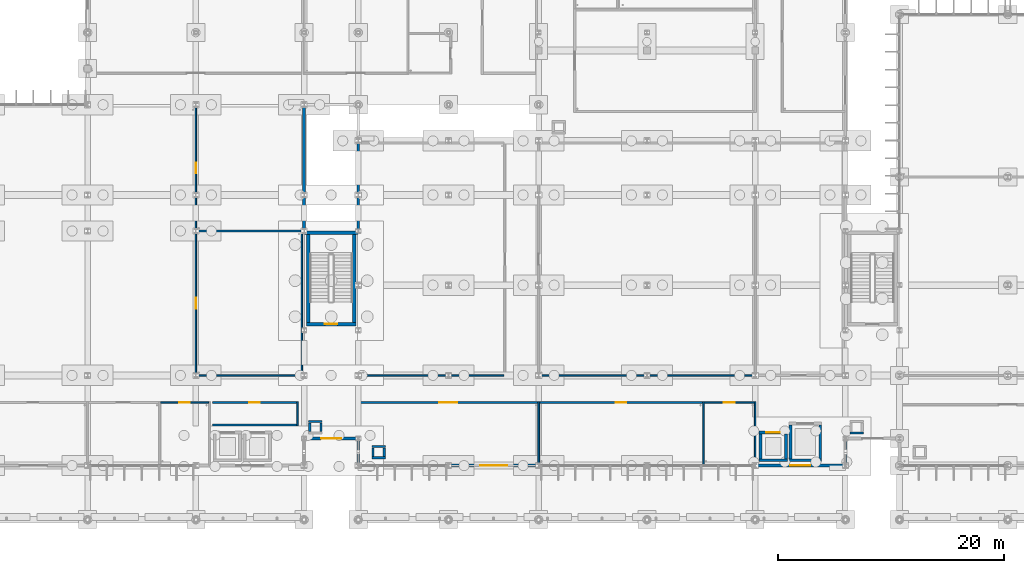
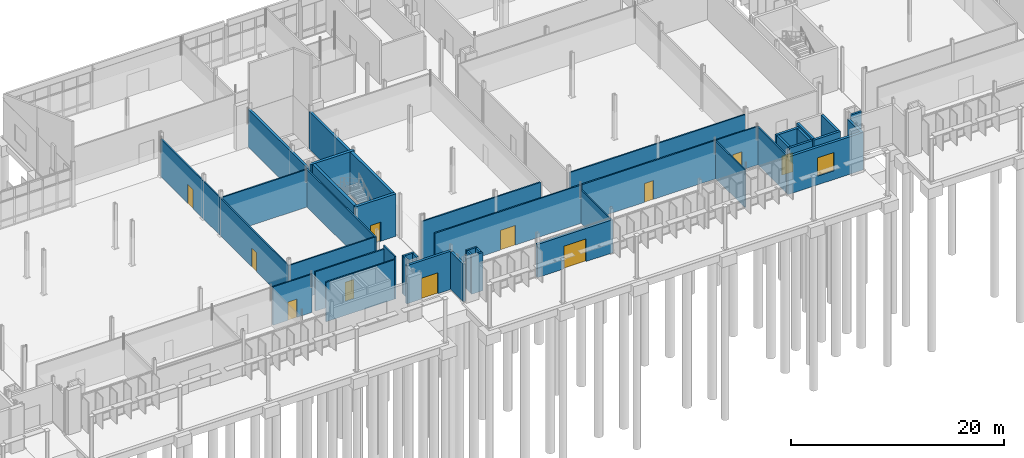
# One storey, part 61 of 111: 43 walls, 11 doors, 1 window, 12 openings.
"""IFC4 building model written with IfcOpenShell, lengths in metres."""

from ifc_helpers import new_model, si_unit, direction, frame, frame_2d, origin, place, context, subcontext, project, spatial, rectangle, extrude, material, layer, layer_set, type_object, element, fill, save


model = new_model("IFC4")

# Units and contexts
model_context = context("Model", 3, precision=1e-05, world=origin(), true_north=direction((0.0, 1.0)))
body_context = subcontext(model_context, "Body", "Model", "MODEL_VIEW")
ifc_project = project(units=[si_unit("LENGTHUNIT", "METRE"), si_unit("AREAUNIT", "SQUARE_METRE"), si_unit("VOLUMEUNIT", "CUBIC_METRE"), si_unit("PLANEANGLEUNIT", "RADIAN"), si_unit("MASSUNIT", "GRAM", prefix="KILO")], contexts=[model_context])

# Site, building, storey
site_placement = place(None, origin())
site = spatial("IfcSite", under=ifc_project, at=site_placement, CompositionType="ELEMENT")
building_placement = place(site_placement, origin())
building = spatial("IfcBuilding", under=site, at=building_placement, Name="Dunescarp Central Library", CompositionType="ELEMENT")
storey_placement = place(building_placement, origin())
storey = spatial("IfcBuildingStorey", under=building, at=storey_placement, Name="L00", CompositionType="ELEMENT", Elevation=0.0)

# Wall
ifc_material_1 = material(Name="Gypsum plasterboard acoustic partition")
ifc_layer_1 = layer(ifc_material_1, 0.14990234375)
ifc_layer_set_1 = layer_set([ifc_layer_1], Name="Gypsum plasterboard acoustic partition")
wall_type_1 = type_object("IfcWallType", Name="ARC-PT-AC150", PredefinedType="PARTITIONING", material=ifc_layer_set_1)
wall_1_placement = place(storey_placement, frame((68.675048828125, 8.39990234375, 0.0), z_axis=(0.0, 0.0, 1.0), x_axis=(1.0, 0.0, 0.0)))
element("IfcWall", 1, at=wall_1_placement, inside=storey, type_object=wall_type_1, Name="L00 partition PT-L00-0155", PredefinedType="PARTITIONING", context=body_context, shape_type="SweptSolid", body=[
    extrude(rectangle(XDim=7.449951171875, YDim=0.14990234375, at=frame_2d((3.72509765625, 0.0))), origin(), (0.0, 0.0, 1.0), 4.52490234375),
])

# Wall, opening, door
wall_2_placement = place(storey_placement, frame((68.675048828125, 10.39990234375, 0.0), z_axis=(0.0, 0.0, 1.0), x_axis=(1.0, 0.0, 0.0)))
wall_2 = element("IfcWall", 2, at=wall_2_placement, inside=storey, type_object=wall_type_1, Name="L00 partition PT-L00-0156", PredefinedType="PARTITIONING", context=body_context, shape_type="SweptSolid", body=[
    extrude(rectangle(XDim=7.449951171875, YDim=0.14990234375, at=frame_2d((3.72509765625, 0.0))), origin(), (0.0, 0.0, 1.0), 4.52490234375),
])
opening_1_placement = place(wall_2_placement, frame((3.25, 0.0, 0.0)))
opening_1 = element("IfcOpeningElement", 3, at=opening_1_placement, cuts=wall_2, Name="Opening DR-L00-0060", PredefinedType="OPENING", context=body_context, shape_type="SweptSolid", body=[
    extrude(rectangle(XDim=0.949951171875, YDim=2.14990234375, at=frame_2d((0.47509765625, 1.074951171875))), frame((0.0, 0.0849609375, 0.0), z_axis=(0.0, -1.0, 0.0), x_axis=(1.0, 0.0, 0.0)), (0.0, 0.0, 1.0), 0.169921875),
])
ifc_material_2 = material(Name="Hardwood solid-core timber leaf", Category="wood")
door_type_1 = type_object("IfcDoorType", Name="ARC-DR-INT950", OperationType="NOTDEFINED", PredefinedType="DOOR", material=ifc_material_2)
door_1_placement = place(opening_1_placement, origin())
door_1 = element("IfcDoor", 4, at=door_1_placement, inside=storey, type_object=door_type_1, Name="L00 interior door DR-L00-0060", OperationType="SINGLE_SWING_RIGHT", OverallHeight=2.14990234375, OverallWidth=0.949951171875, PredefinedType="DOOR", context=body_context, shape_type="SweptSolid", body=[
    extrude(rectangle(XDim=0.949951171875, YDim=2.14990234375, at=frame_2d((0.47509765625, 1.074951171875))), frame((0.0, 0.02490234375, 0.0), z_axis=(0.0, -1.0, 0.0), x_axis=(1.0, 0.0, 0.0)), (0.0, 0.0, 1.0), 0.050048828125),
])
fill(opening_1, door_1)

# Walls
wall_3_placement = place(storey_placement, frame((76.199951171875, 8.324951171875, 0.0), z_axis=(0.0, 0.0, 1.0), x_axis=(0.0, 1.0, 0.0)))
element("IfcWall", 5, at=wall_3_placement, inside=storey, type_object=wall_type_1, Name="L00 partition PT-L00-0157", PredefinedType="PARTITIONING", context=body_context, shape_type="SweptSolid", body=[
    extrude(rectangle(XDim=2.150146484375, YDim=0.14990234375, at=frame_2d((1.0751953125, 0.0))), origin(), (0.0, 0.0, 1.0), 4.8798828125),
])
for number, where, z_axis, x_axis, name in (
    (6, (67.27490234375, 12.800048828125, 0.0), (0.0, 0.0, 1.0), (1.0, 0.0, 0.0), "L00 partition PT-L00-0158"),
    (7, (67.27490234375, 25.60009765625, 0.0), (0.0, 0.0, 1.0), (1.0, 0.0, 0.0), "L00 partition PT-L00-0159"),
):
    element("IfcWall", number, at=place(storey_placement, frame(where, z_axis=z_axis, x_axis=x_axis)), inside=storey, type_object=wall_type_1, Name=name, PredefinedType="PARTITIONING", context=body_context, shape_type="SweptSolid", body=[
        extrude(rectangle(XDim=9.25, YDim=0.14990234375, at=frame_2d((4.625, 0.0))), origin(), (0.0, 0.0, 1.0), 4.31494140625),
    ])

# Wall, opening, door
wall_4_placement = place(storey_placement, frame((67.199951171875, 12.72509765625, 0.0), z_axis=(0.0, 0.0, 1.0), x_axis=(0.0, 1.0, 0.0)))
wall_4 = element("IfcWall", 8, at=wall_4_placement, inside=storey, type_object=wall_type_1, Name="L00 partition PT-L00-0160", PredefinedType="PARTITIONING", context=body_context, shape_type="SweptSolid", body=[
    extrude(rectangle(XDim=12.949951171875, YDim=0.14990234375, at=frame_2d((6.47509765625, 0.0))), origin(), (0.0, 0.0, 1.0), 4.31494140625),
])
opening_2_placement = place(wall_4_placement, frame((6.0, 0.0, 0.0)))
opening_2 = element("IfcOpeningElement", 9, at=opening_2_placement, cuts=wall_4, Name="Opening DR-L00-0061", PredefinedType="OPENING", context=body_context, shape_type="SweptSolid", body=[
    extrude(rectangle(XDim=0.949951171875, YDim=2.14990234375, at=frame_2d((0.47509765625, 1.074951171875))), frame((0.0, 0.0849609375, 0.0), z_axis=(0.0, -1.0, 0.0), x_axis=(1.0, 0.0, 0.0)), (0.0, 0.0, 1.0), 0.169921875),
])
door_2_placement = place(opening_2_placement, origin())
door_2 = element("IfcDoor", 10, at=door_2_placement, inside=storey, type_object=door_type_1, Name="L00 interior door DR-L00-0061", OperationType="SINGLE_SWING_LEFT", OverallHeight=2.14990234375, OverallWidth=0.949951171875, PredefinedType="DOOR", context=body_context, shape_type="SweptSolid", body=[
    extrude(rectangle(XDim=0.949951171875, YDim=2.14990234375, at=frame_2d((0.47509765625, 1.074951171875))), frame((0.0, 0.02490234375, 0.0), z_axis=(0.0, -1.0, 0.0), x_axis=(1.0, 0.0, 0.0)), (0.0, 0.0, 1.0), 0.050048828125),
])
fill(opening_2, door_2)

# Wall
wall_5_placement = place(storey_placement, frame((76.60009765625, 12.72509765625, 0.0), z_axis=(0.0, 0.0, 1.0), x_axis=(0.0, 1.0, 0.0)))
element("IfcWall", 11, at=wall_5_placement, inside=storey, type_object=wall_type_1, Name="L00 partition PT-L00-0161", PredefinedType="PARTITIONING", context=body_context, shape_type="SweptSolid", body=[
    extrude(rectangle(XDim=12.949951171875, YDim=0.14990234375, at=frame_2d((6.47509765625, 0.0))), origin(), (0.0, 0.0, 1.0), 4.31494140625),
])

# Wall, opening, door
wall_6_placement = place(storey_placement, frame((67.199951171875, 25.60009765625, 0.0), z_axis=(0.0, 0.0, 1.0), x_axis=(0.0, 1.0, 0.0)))
wall_6 = element("IfcWall", 12, at=wall_6_placement, inside=storey, type_object=wall_type_1, Name="L00 partition PT-L00-0162", PredefinedType="PARTITIONING", context=body_context, shape_type="SweptSolid", body=[
    extrude(rectangle(XDim=11.159912109375, YDim=0.14990234375, at=frame_2d((5.580078125, 0.0))), origin(), (0.0, 0.0, 1.0), 4.31494140625),
])
opening_3_placement = place(wall_6_placement, frame((5.10498046875, 0.0, 0.0)))
opening_3 = element("IfcOpeningElement", 13, at=opening_3_placement, cuts=wall_6, Name="Opening DR-L00-0062", PredefinedType="OPENING", context=body_context, shape_type="SweptSolid", body=[
    extrude(rectangle(XDim=0.949951171875, YDim=2.14990234375, at=frame_2d((0.47509765625, 1.074951171875))), frame((0.0, 0.0849609375, 0.0), z_axis=(0.0, -1.0, 0.0), x_axis=(1.0, 0.0, 0.0)), (0.0, 0.0, 1.0), 0.169921875),
])
door_3_placement = place(opening_3_placement, origin())
door_3 = element("IfcDoor", 14, at=door_3_placement, inside=storey, type_object=door_type_1, Name="L00 interior door DR-L00-0062", OperationType="SINGLE_SWING_RIGHT", OverallHeight=2.14990234375, OverallWidth=0.949951171875, PredefinedType="DOOR", context=body_context, shape_type="SweptSolid", body=[
    extrude(rectangle(XDim=0.949951171875, YDim=2.14990234375, at=frame_2d((0.47509765625, 1.074951171875))), frame((0.0, 0.02490234375, 0.0), z_axis=(0.0, -1.0, 0.0), x_axis=(1.0, 0.0, 0.0)), (0.0, 0.0, 1.0), 0.050048828125),
])
fill(opening_3, door_3)

wall_7_placement = place(storey_placement, frame((81.639892578125, 10.39990234375, 0.0), z_axis=(0.0, 0.0, 1.0), x_axis=(1.0, 0.0, 0.0)))
wall_7 = element("IfcWall", 15, at=wall_7_placement, inside=storey, type_object=wall_type_1, Name="L00 partition PT-L00-0256", PredefinedType="PARTITIONING", context=body_context, shape_type="SweptSolid", body=[
    extrude(rectangle(XDim=15.885009765625, YDim=0.14990234375, at=frame_2d((7.9423828125, 0.0))), origin(), (0.0, 0.0, 1.0), 4.405029296875),
])
opening_4_placement = place(wall_7_placement, frame((7.14306640625, 0.0, 0.0)))
opening_4 = element("IfcOpeningElement", 16, at=opening_4_placement, cuts=wall_7, Name="Opening DR-L00-0107", PredefinedType="OPENING", context=body_context, shape_type="SweptSolid", body=[
    extrude(rectangle(XDim=1.60009765625, YDim=2.25, at=frame_2d((0.800048828125, 1.125))), frame((0.0, 0.0849609375, 0.0), z_axis=(0.0, -1.0, 0.0), x_axis=(1.0, 0.0, 0.0)), (0.0, 0.0, 1.0), 0.169921875),
])
ifc_material_3 = material(Name="Marine-grade anodised aluminium 6063-T6", Category="aluminium")
door_type_2 = type_object("IfcDoorType", Name="ARC-DR-DBL1600", OperationType="DOUBLE_DOOR_SINGLE_SWING", PredefinedType="DOOR", material=ifc_material_3)
door_4_placement = place(opening_4_placement, origin())
door_4 = element("IfcDoor", 17, at=door_4_placement, inside=storey, type_object=door_type_2, Name="L00 interior door DR-L00-0107", OperationType="DOUBLE_DOOR_SINGLE_SWING", OverallHeight=2.25, OverallWidth=1.60009765625, PredefinedType="DOOR", context=body_context, shape_type="SweptSolid", body=[
    extrude(rectangle(XDim=1.60009765625, YDim=2.25, at=frame_2d((0.800048828125, 1.125))), frame((0.0, 0.02490234375, 0.0), z_axis=(0.0, -1.0, 0.0), x_axis=(1.0, 0.0, 0.0)), (0.0, 0.0, 1.0), 0.050048828125),
])
fill(opening_4, door_4)

# Wall
wall_8_placement = place(storey_placement, frame((97.60009765625, 4.840087890625, 0.0), z_axis=(0.0, 0.0, 1.0), x_axis=(0.0, 1.0, 0.0)))
element("IfcWall", 18, at=wall_8_placement, inside=storey, type_object=wall_type_1, Name="L00 partition PT-L00-0257", PredefinedType="PARTITIONING", context=body_context, shape_type="SweptSolid", body=[
    extrude(rectangle(XDim=5.635009765625, YDim=0.14990234375, at=frame_2d((2.8173828125, 0.0))), origin(), (0.0, 0.0, 1.0), 3.804931640625),
])

# Wall, opening, door
wall_9_placement = place(storey_placement, frame((97.60009765625, 10.39990234375, 0.0), z_axis=(0.0, 0.0, 1.0), x_axis=(1.0, 0.0, 0.0)))
wall_9 = element("IfcWall", 19, at=wall_9_placement, inside=storey, type_object=wall_type_1, Name="L00 partition PT-L00-0258", PredefinedType="PARTITIONING", context=body_context, shape_type="SweptSolid", body=[
    extrude(rectangle(XDim=14.599853515625, YDim=0.14990234375, at=frame_2d((7.2998046875, 0.0))), origin(), (0.0, 0.0, 1.0), 4.405029296875),
])
opening_5_placement = place(wall_9_placement, frame((6.824951171875, 0.0, 0.0)))
opening_5 = element("IfcOpeningElement", 20, at=opening_5_placement, cuts=wall_9, Name="Opening DR-L00-0108", PredefinedType="OPENING", context=body_context, shape_type="SweptSolid", body=[
    extrude(rectangle(XDim=0.949951171875, YDim=2.14990234375, at=frame_2d((0.47509765625, 1.074951171875))), frame((0.0, 0.0849609375, 0.0), z_axis=(0.0, -1.0, 0.0), x_axis=(1.0, 0.0, 0.0)), (0.0, 0.0, 1.0), 0.169921875),
])
door_5_placement = place(opening_5_placement, origin())
door_5 = element("IfcDoor", 21, at=door_5_placement, inside=storey, type_object=door_type_1, Name="L00 interior door DR-L00-0108", OperationType="SINGLE_SWING_LEFT", OverallHeight=2.14990234375, OverallWidth=0.949951171875, PredefinedType="DOOR", context=body_context, shape_type="SweptSolid", body=[
    extrude(rectangle(XDim=0.949951171875, YDim=2.14990234375, at=frame_2d((0.47509765625, 1.074951171875))), frame((0.0, 0.02490234375, 0.0), z_axis=(0.0, -1.0, 0.0), x_axis=(1.0, 0.0, 0.0)), (0.0, 0.0, 1.0), 0.050048828125),
])
fill(opening_5, door_5)

# Walls
wall_10_placement = place(storey_placement, frame((81.639892578125, 12.800048828125, 0.0), z_axis=(0.0, 0.0, 1.0), x_axis=(1.0, 0.0, 0.0)))
element("IfcWall", 22, at=wall_10_placement, inside=storey, type_object=wall_type_1, Name="L00 partition PT-L00-0259", PredefinedType="PARTITIONING", context=body_context, shape_type="SweptSolid", body=[
    extrude(rectangle(XDim=12.885009765625, YDim=0.14990234375, at=frame_2d((6.4423828125, 0.0))), origin(), (0.0, 0.0, 1.0), 4.304931640625),
])
wall_11_placement = place(storey_placement, frame((97.675048828125, 12.800048828125, 0.0), z_axis=(0.0, 0.0, 1.0), x_axis=(1.0, 0.0, 0.0)))
element("IfcWall", 23, at=wall_11_placement, inside=storey, type_object=wall_type_1, Name="L00 partition PT-L00-0262", PredefinedType="PARTITIONING", context=body_context, shape_type="SweptSolid", body=[
    extrude(rectangle(XDim=19.050048828125, YDim=0.14990234375, at=frame_2d((9.52490234375, 0.0))), origin(), (0.0, 0.0, 1.0), 4.304931640625),
])

# Wall, opening, door
ifc_material_4 = material(Name="Autoclaved aerated concrete block", Category="concrete")
ifc_layer_2 = layer(ifc_material_4, 0.139892578125)
ifc_layer_set_2 = layer_set([ifc_layer_2], Name="Autoclaved aerated concrete block")
wall_type_2 = type_object("IfcWallType", Name="ARC-PT-WET140", PredefinedType="PARTITIONING", material=ifc_layer_set_2)
wall_12_placement = place(storey_placement, frame((64.070068359375, 10.39990234375, 0.0), z_axis=(0.0, 0.0, 1.0), x_axis=(1.0, 0.0, 0.0)))
wall_12 = element("IfcWall", 24, at=wall_12_placement, inside=storey, type_object=wall_type_2, Name="L00 partition PT-L00-0147", PredefinedType="PARTITIONING", context=body_context, shape_type="SweptSolid", body=[
    extrude(rectangle(XDim=4.260009765625, YDim=0.139892578125, at=frame_2d((2.1298828125, 0.0))), origin(), (0.0, 0.0, 1.0), 4.387939453125),
])
opening_6_placement = place(wall_12_placement, frame((1.655029296875, 0.0, 0.0)))
opening_6 = element("IfcOpeningElement", 25, at=opening_6_placement, cuts=wall_12, Name="Opening DR-L00-0056", PredefinedType="OPENING", context=body_context, shape_type="SweptSolid", body=[
    extrude(rectangle(XDim=0.949951171875, YDim=2.10009765625, at=frame_2d((0.47509765625, 1.050048828125))), frame((0.0, 0.080078125, 0.0), z_axis=(0.0, -1.0, 0.0), x_axis=(1.0, 0.0, 0.0)), (0.0, 0.0, 1.0), 0.159912109375),
])
door_type_3 = type_object("IfcDoorType", Name="ARC-DR-WC950", OperationType="NOTDEFINED", PredefinedType="DOOR", material=ifc_material_2)
door_6_placement = place(opening_6_placement, origin())
door_6 = element("IfcDoor", 26, at=door_6_placement, inside=storey, type_object=door_type_3, Name="L00 interior door DR-L00-0056", OperationType="SINGLE_SWING_RIGHT", OverallHeight=2.10009765625, OverallWidth=0.949951171875, PredefinedType="DOOR", context=body_context, shape_type="SweptSolid", body=[
    extrude(rectangle(XDim=0.949951171875, YDim=2.10009765625, at=frame_2d((0.47509765625, 1.050048828125))), frame((0.0, 0.02490234375, 0.0), z_axis=(0.0, -1.0, 0.0), x_axis=(1.0, 0.0, 0.0)), (0.0, 0.0, 1.0), 0.050048828125),
])
fill(opening_6, door_6)

wall_13_placement = place(storey_placement, frame((112.27001953125, 10.39990234375, 0.0), z_axis=(0.0, 0.0, 1.0), x_axis=(1.0, 0.0, 0.0)))
wall_13 = element("IfcWall", 27, at=wall_13_placement, inside=storey, type_object=wall_type_2, Name="L00 partition PT-L00-0253", PredefinedType="PARTITIONING", context=body_context, shape_type="SweptSolid", body=[
    extrude(rectangle(XDim=4.4599609375, YDim=0.139892578125, at=frame_2d((2.22998046875, 0.0))), origin(), (0.0, 0.0, 1.0), 4.405029296875),
])
opening_7_placement = place(wall_13_placement, frame((1.7548828125, 0.0, 0.0)))
opening_7 = element("IfcOpeningElement", 28, at=opening_7_placement, cuts=wall_13, Name="Opening DR-L00-0106", PredefinedType="OPENING", context=body_context, shape_type="SweptSolid", body=[
    extrude(rectangle(XDim=0.949951171875, YDim=2.10009765625, at=frame_2d((0.47509765625, 1.050048828125))), frame((0.0, 0.080078125, 0.0), z_axis=(0.0, -1.0, 0.0), x_axis=(1.0, 0.0, 0.0)), (0.0, 0.0, 1.0), 0.159912109375),
])
door_7_placement = place(opening_7_placement, origin())
door_7 = element("IfcDoor", 29, at=door_7_placement, inside=storey, type_object=door_type_3, Name="L00 interior door DR-L00-0106", OperationType="SINGLE_SWING_RIGHT", OverallHeight=2.10009765625, OverallWidth=0.949951171875, PredefinedType="DOOR", context=body_context, shape_type="SweptSolid", body=[
    extrude(rectangle(XDim=0.949951171875, YDim=2.10009765625, at=frame_2d((0.47509765625, 1.050048828125))), frame((0.0, 0.02490234375, 0.0), z_axis=(0.0, -1.0, 0.0), x_axis=(1.0, 0.0, 0.0)), (0.0, 0.0, 1.0), 0.050048828125),
])
fill(opening_7, door_7)

# Walls
for number, where, z_axis, x_axis, name in (
    (30, (112.199951171875, 4.840087890625, 0.0), (0.0, 0.0, 1.0), (0.0, 1.0, 0.0), "L00 partition PT-L00-0254"),
    (31, (116.800048828125, 4.840087890625, 0.0), (0.0, 0.0, 1.0), (0.0, 1.0, 0.0), "L00 partition PT-L00-0255"),
):
    element("IfcWall", number, at=place(storey_placement, frame(where, z_axis=z_axis, x_axis=x_axis)), inside=storey, type_object=wall_type_2, Name=name, PredefinedType="PARTITIONING", context=body_context, shape_type="SweptSolid", body=[
        extrude(rectangle(XDim=5.6298828125, YDim=0.139892578125, at=frame_2d((2.81494140625, 0.0))), origin(), (0.0, 0.0, 1.0), 4.304931640625),
    ])
ifc_material_5 = material(Name="Glass-fibre reinforced concrete GRC", Category="concrete")
ifc_layer_3 = layer(ifc_material_5, 0.260009765625)
ifc_layer_set_3 = layer_set([ifc_layer_3], Name="Glass-fibre reinforced concrete GRC")
wall_type_3 = type_object("IfcWallType", Name="ARC-WL-GRC260", PredefinedType="SOLIDWALL", material=ifc_layer_set_3)
wall_14_placement = place(storey_placement, frame((76.800048828125, 36.885009765625, 0.0), z_axis=(0.0, 0.0, 1.0), x_axis=(0.0, -1.0, 0.0)))
element("IfcWall", 32, at=wall_14_placement, inside=storey, type_object=wall_type_3, Name="L00 external wall EW-V2-036", PredefinedType="SOLIDWALL", context=body_context, shape_type="SweptSolid", body=[
    extrude(rectangle(XDim=11.3701171875, YDim=0.260009765625, at=frame_2d((5.68505859375, 0.0))), origin(), (0.0, 0.0, 1.0), 4.31494140625),
])
wall_15_placement = place(storey_placement, frame((81.60009765625, 4.715087890625, 0.0), z_axis=(0.0, 0.0, 1.0), x_axis=(0.0, 1.0, 0.0)))
element("IfcWall", 33, at=wall_15_placement, inside=storey, type_object=wall_type_3, Name="L00 external wall EW-V3-067", PredefinedType="SOLIDWALL", context=body_context, shape_type="SweptSolid", body=[
    extrude(rectangle(XDim=2.56982421875, YDim=0.260009765625, at=frame_2d((1.284912109375, 0.0))), origin(), (0.0, 0.0, 1.0), 4.304931640625),
])
wall_16_placement = place(storey_placement, frame((81.60009765625, 25.514892578125, 0.0), z_axis=(0.0, 0.0, 1.0), x_axis=(0.0, 1.0, 0.0)))
element("IfcWall", 34, at=wall_16_placement, inside=storey, type_object=wall_type_3, Name="L00 external wall EW-V3-068", PredefinedType="SOLIDWALL", context=body_context, shape_type="SweptSolid", body=[
    extrude(rectangle(XDim=8.170166015625, YDim=0.260009765625, at=frame_2d((4.0849609375, 0.0))), origin(), (0.0, 0.0, 1.0), 4.304931640625),
])
wall_17_placement = place(storey_placement, frame((124.800048828125, 7.284912109375, 0.0), z_axis=(0.0, 0.0, 1.0), x_axis=(0.0, -1.0, 0.0)))
element("IfcWall", 35, at=wall_17_placement, inside=storey, type_object=wall_type_3, Name="L00 external wall EW-V3-069", PredefinedType="SOLIDWALL", context=body_context, shape_type="SweptSolid", body=[
    extrude(rectangle(XDim=2.56982421875, YDim=0.260009765625, at=frame_2d((1.284912109375, 0.0))), origin(), (0.0, 0.0, 1.0), 4.304931640625),
])

# Wall, opening, door
wall_18_placement = place(storey_placement, frame((81.68505859375, 7.199951171875, 0.0), z_axis=(0.0, 0.0, 1.0), x_axis=(-1.0, 0.0, 0.0)))
wall_18 = element("IfcWall", 36, at=wall_18_placement, inside=storey, type_object=wall_type_3, Name="L00 external wall EW-GL2-S", PredefinedType="SOLIDWALL", context=body_context, shape_type="SweptSolid", body=[
    extrude(rectangle(XDim=4.969970703125, YDim=0.260009765625, at=frame_2d((2.48486328125, 0.0))), origin(), (0.0, 0.0, 1.0), 4.387939453125),
])
opening_8_placement = place(wall_18_placement, frame((1.5849609375, 0.0, 0.0)))
opening_8 = element("IfcOpeningElement", 37, at=opening_8_placement, cuts=wall_18, Name="Opening ED-04", PredefinedType="OPENING", context=body_context, shape_type="SweptSolid", body=[
    extrude(rectangle(XDim=1.800048828125, YDim=2.39990234375, at=frame_2d((0.89990234375, 1.199951171875))), frame((0.0, 0.14013671875, 0.0), z_axis=(0.0, -1.0, 0.0), x_axis=(1.0, 0.0, 0.0)), (0.0, 0.0, 1.0), 0.280029296875),
])
door_type_4 = type_object("IfcDoorType", Name="ARC-DR-EXIT1800", OperationType="NOTDEFINED", PredefinedType="DOOR", material=ifc_material_3)
door_8_placement = place(opening_8_placement, origin())
door_8 = element("IfcDoor", 38, at=door_8_placement, inside=storey, type_object=door_type_4, Name="L00 external door ED-04", OperationType="SINGLE_SWING_LEFT", OverallHeight=2.39990234375, OverallWidth=1.800048828125, PredefinedType="DOOR", context=body_context, shape_type="SweptSolid", body=[
    extrude(rectangle(XDim=1.800048828125, YDim=2.39990234375, at=frame_2d((0.89990234375, 1.199951171875))), frame((0.0, 0.02490234375, 0.0), z_axis=(0.0, -1.0, 0.0), x_axis=(1.0, 0.0, 0.0)), (0.0, 0.0, 1.0), 0.050048828125),
])
fill(opening_8, door_8)

ifc_layer_4 = layer(ifc_material_5, 0.280029296875)
ifc_layer_set_4 = layer_set([ifc_layer_4], Name="Glass-fibre reinforced concrete GRC")
wall_type_4 = type_object("IfcWallType", Name="ARC-WL-GRC280", PredefinedType="SOLIDWALL", material=ifc_layer_set_4)
wall_19_placement = place(storey_placement, frame((97.68505859375, 4.800048828125, 0.0), z_axis=(0.0, 0.0, 1.0), x_axis=(-1.0, 0.0, 0.0)))
wall_19 = element("IfcWall", 39, at=wall_19_placement, inside=storey, type_object=wall_type_4, Name="L00 external wall EW-V3-065", PredefinedType="SOLIDWALL", context=body_context, shape_type="SweptSolid", body=[
    extrude(rectangle(XDim=8.170166015625, YDim=0.280029296875, at=frame_2d((4.0849609375, 0.0))), origin(), (0.0, 0.0, 1.0), 3.804931640625),
])
opening_9_placement = place(wall_19_placement, frame((2.885009765625, 0.0, 0.0)))
opening_9 = element("IfcOpeningElement", 40, at=opening_9_placement, cuts=wall_19, Name="Opening D-ENT-03", PredefinedType="OPENING", context=body_context, shape_type="SweptSolid", body=[
    extrude(rectangle(XDim=2.39990234375, YDim=2.60009765625, at=frame_2d((1.199951171875, 1.300048828125))), frame((0.0, 0.14990234375, 0.0), z_axis=(0.0, -1.0, 0.0), x_axis=(1.0, 0.0, 0.0)), (0.0, 0.0, 1.0), 0.300048828125),
])
door_type_5 = type_object("IfcDoorType", Name="ARC-DR-ENT2400", OperationType="DOUBLE_SWING_LEFT", PredefinedType="DOOR", material=ifc_material_3)
door_9_placement = place(opening_9_placement, origin())
door_9 = element("IfcDoor", 41, at=door_9_placement, inside=storey, type_object=door_type_5, Name="L00 external door D-ENT-03", OperationType="DOUBLE_SWING_LEFT", OverallHeight=2.60009765625, OverallWidth=2.39990234375, PredefinedType="DOOR", context=body_context, shape_type="SweptSolid", body=[
    extrude(rectangle(XDim=2.39990234375, YDim=2.60009765625, at=frame_2d((1.199951171875, 1.300048828125))), frame((0.0, 0.02490234375, 0.0), z_axis=(0.0, -1.0, 0.0), x_axis=(1.0, 0.0, 0.0)), (0.0, 0.0, 1.0), 0.050048828125),
])
fill(opening_9, door_9)

# Wall, opening, window
wall_20_placement = place(storey_placement, frame((124.885009765625, 4.800048828125, 0.0), z_axis=(0.0, 0.0, 1.0), x_axis=(-1.0, 0.0, 0.0)))
wall_20 = element("IfcWall", 42, at=wall_20_placement, inside=storey, type_object=wall_type_4, Name="L00 external wall EW-V3-066", PredefinedType="SOLIDWALL", context=body_context, shape_type="SweptSolid", body=[
    extrude(rectangle(XDim=8.169921875, YDim=0.280029296875, at=frame_2d((4.0849609375, 0.0))), origin(), (0.0, 0.0, 1.0), 4.304931640625),
])
opening_10_placement = place(wall_20_placement, frame((3.18505859375, 0.0, 1.0)))
opening_10 = element("IfcOpeningElement", 43, at=opening_10_placement, cuts=wall_20, Name="Opening WN-014", PredefinedType="OPENING", context=body_context, shape_type="SweptSolid", body=[
    extrude(rectangle(XDim=1.800048828125, YDim=2.10009765625, at=frame_2d((0.89990234375, 1.050048828125))), frame((0.0, 0.14990234375, 0.0), z_axis=(0.0, -1.0, 0.0), x_axis=(1.0, 0.0, 0.0)), (0.0, 0.0, 1.0), 0.300048828125),
])
ifc_material_6 = material(Name="Solar-control laminated double glazing", Category="glass")
window_type = type_object("IfcWindowType", Name="ARC-WN-1800X2100", PartitioningType="SINGLE_PANEL", PredefinedType="WINDOW", material=ifc_material_6)
window_placement = place(opening_10_placement, origin())
window = element("IfcWindow", 44, at=window_placement, inside=storey, type_object=window_type, Name="L00 window WN-014", OverallHeight=2.10009765625, OverallWidth=1.800048828125, PartitioningType="SINGLE_PANEL", PredefinedType="WINDOW", context=body_context, shape_type="SweptSolid", body=[
    extrude(rectangle(XDim=1.800048828125, YDim=2.10009765625, at=frame_2d((0.89990234375, 1.050048828125))), frame((0.0, 0.030029296875, 0.0), z_axis=(0.0, -1.0, 0.0), x_axis=(1.0, 0.0, 0.0)), (0.0, 0.0, 1.0), 0.06005859375),
])
fill(opening_10, window)

# Walls
ifc_material_7 = material(Name="Concrete C35/45", Category="concrete")
ifc_layer_5 = layer(ifc_material_7, 0.199951171875)
ifc_layer_set_5 = layer_set([ifc_layer_5], Name="Concrete C35/45")
wall_type_5 = type_object("IfcWallType", Name="ARC-WL-RISER200", PredefinedType="PARTITIONING", material=ifc_layer_set_5)
for number, where, z_axis, x_axis, name in (
    (45, (84.0, 5.5, 0.0), (0.0, 0.0, 1.0), (-1.0, 0.0, 0.0), "L00 V3 duct shaft wall S"),
    (46, (82.800048828125, 6.5, 0.0), (0.0, 0.0, 1.0), (1.0, 0.0, 0.0), "L00 V3 duct shaft wall N"),
):
    element("IfcWall", number, at=place(storey_placement, frame(where, z_axis=z_axis, x_axis=x_axis)), inside=storey, type_object=wall_type_5, Name=name, PredefinedType="PARTITIONING", context=body_context, shape_type="SweptSolid", body=[
        extrude(rectangle(XDim=1.199951171875, YDim=0.199951171875, at=frame_2d((0.60009765625, 0.0))), origin(), (0.0, 0.0, 1.0), 4.3798828125),
    ])
for number, where, z_axis, x_axis, name in (
    (47, (82.89990234375, 5.6201171875, 0.0), (0.0, 0.0, 1.0), (0.0, 1.0, 0.0), "L00 V3 duct shaft wall W"),
    (48, (83.89990234375, 6.3798828125, 0.0), (0.0, 0.0, 1.0), (0.0, -1.0, 0.0), "L00 V3 duct shaft wall E"),
):
    element("IfcWall", number, at=place(storey_placement, frame(where, z_axis=z_axis, x_axis=x_axis)), inside=storey, type_object=wall_type_5, Name=name, PredefinedType="PARTITIONING", context=body_context, shape_type="SweptSolid", body=[
        extrude(rectangle(XDim=0.759765625, YDim=0.199951171875, at=frame_2d((0.3798828125, 0.0))), origin(), (0.0, 0.0, 1.0), 4.3798828125),
    ])
wall_21_placement = place(storey_placement, frame((77.199951171875, 8.699951171875, 0.0), z_axis=(0.0, 0.0, 1.0), x_axis=(1.0, 0.0, 0.0)))
element("IfcWall", 49, at=wall_21_placement, inside=storey, type_object=wall_type_5, Name="L00 GL2 duct shaft wall N", PredefinedType="PARTITIONING", context=body_context, shape_type="SweptSolid", body=[
    extrude(rectangle(XDim=1.199951171875, YDim=0.199951171875, at=frame_2d((0.60009765625, 0.0))), origin(), (0.0, 0.0, 1.0), 4.3798828125),
])
for number, where, z_axis, x_axis, name in (
    (50, (77.300048828125, 7.820068359375, 0.0), (0.0, 0.0, 1.0), (0.0, 1.0, 0.0), "L00 GL2 duct shaft wall W"),
    (51, (78.300048828125, 8.580078125, 0.0), (0.0, 0.0, 1.0), (0.0, -1.0, 0.0), "L00 GL2 duct shaft wall E"),
):
    element("IfcWall", number, at=place(storey_placement, frame(where, z_axis=z_axis, x_axis=x_axis)), inside=storey, type_object=wall_type_5, Name=name, PredefinedType="PARTITIONING", context=body_context, shape_type="SweptSolid", body=[
        extrude(rectangle(XDim=0.760009765625, YDim=0.199951171875, at=frame_2d((0.3798828125, 0.0))), origin(), (0.0, 0.0, 1.0), 4.3798828125),
    ])
wall_22_placement = place(storey_placement, frame((126.39990234375, 7.699951171875, 0.0), z_axis=(0.0, 0.0, 1.0), x_axis=(-1.0, 0.0, 0.0)))
element("IfcWall", 52, at=wall_22_placement, inside=storey, type_object=wall_type_5, Name="L00 GL3 duct shaft wall S", PredefinedType="PARTITIONING", context=body_context, shape_type="SweptSolid", body=[
    extrude(rectangle(XDim=1.199951171875, YDim=0.199951171875, at=frame_2d((0.60009765625, 0.0))), origin(), (0.0, 0.0, 1.0), 4.3798828125),
])
ifc_material_8 = material(Name="Concrete C40/50", Category="concrete")
ifc_layer_6 = layer(ifc_material_8, 0.25)
ifc_layer_set_6 = layer_set([ifc_layer_6], Name="Concrete C40/50")
wall_type_6 = type_object("IfcWallType", Name="STR-WL-CORE250", PredefinedType="SHEAR", material=ifc_layer_set_6)
wall_23_placement = place(storey_placement, frame((119.64990234375, 5.27490234375, 0.0), z_axis=(0.0, 0.0, 1.0), x_axis=(-1.0, 0.0, 0.0)))
element("IfcWall", 53, at=wall_23_placement, inside=storey, type_object=wall_type_6, Name="L00 PL-3 lift shaft wall S", PredefinedType="SHEAR", context=body_context, shape_type="SweptSolid", body=[
    extrude(rectangle(XDim=2.5, YDim=0.25, at=frame_2d((1.25, 0.0))), origin(), (0.0, 0.0, 1.0), 4.8798828125),
])

# Wall, opening, door
wall_24_placement = place(storey_placement, frame((117.14990234375, 7.72509765625, 0.0), z_axis=(0.0, 0.0, 1.0), x_axis=(1.0, 0.0, 0.0)))
wall_24 = element("IfcWall", 54, at=wall_24_placement, inside=storey, type_object=wall_type_6, Name="L00 PL-3 lift shaft wall N", PredefinedType="SHEAR", context=body_context, shape_type="SweptSolid", body=[
    extrude(rectangle(XDim=2.5, YDim=0.25, at=frame_2d((1.25, 0.0))), origin(), (0.0, 0.0, 1.0), 4.8798828125),
])
opening_11_placement = place(wall_24_placement, frame((0.64990234375, 0.0, 0.0)))
opening_11 = element("IfcOpeningElement", 55, at=opening_11_placement, cuts=wall_24, Name="Opening LD-PL-3-L00", PredefinedType="OPENING", context=body_context, shape_type="SweptSolid", body=[
    extrude(rectangle(XDim=1.199951171875, YDim=2.199951171875, at=frame_2d((0.60009765625, 1.10009765625))), frame((0.0, 0.135009765625, 0.0), z_axis=(0.0, -1.0, 0.0), x_axis=(1.0, 0.0, 0.0)), (0.0, 0.0, 1.0), 0.27001953125),
])
ifc_material_9 = material(Name="Stainless steel Grade 316L", Category="steel")
door_type_6 = type_object("IfcDoorType", Name="ARC-DR-LD1200", OperationType="DOUBLE_DOOR_SLIDING", PredefinedType="DOOR", material=ifc_material_9)
door_10_placement = place(opening_11_placement, origin())
door_10 = element("IfcDoor", 56, at=door_10_placement, inside=storey, type_object=door_type_6, Name="L00 PL-3 lift landing door", OperationType="DOUBLE_DOOR_SLIDING", OverallHeight=2.199951171875, OverallWidth=1.199951171875, PredefinedType="DOOR", context=body_context, shape_type="SweptSolid", body=[
    extrude(rectangle(XDim=1.199951171875, YDim=2.199951171875, at=frame_2d((0.60009765625, 1.10009765625))), frame((0.0, 0.02490234375, 0.0), z_axis=(0.0, -1.0, 0.0), x_axis=(1.0, 0.0, 0.0)), (0.0, 0.0, 1.0), 0.050048828125),
])
fill(opening_11, door_10)

# Walls
for number, where, z_axis, x_axis, name in (
    (57, (117.27490234375, 5.39990234375, 0.0), (0.0, 0.0, 1.0), (0.0, 1.0, 0.0), "L00 PL-3 lift shaft wall W"),
    (58, (119.52490234375, 7.60009765625, 0.0), (0.0, 0.0, 1.0), (0.0, -1.0, 0.0), "L00 PL-3 lift shaft wall E"),
):
    element("IfcWall", number, at=place(storey_placement, frame(where, z_axis=z_axis, x_axis=x_axis)), inside=storey, type_object=wall_type_6, Name=name, PredefinedType="SHEAR", context=body_context, shape_type="SweptSolid", body=[
        extrude(rectangle(XDim=2.2001953125, YDim=0.25, at=frame_2d((1.10009765625, 0.0))), origin(), (0.0, 0.0, 1.0), 4.8798828125),
    ])
wall_25_placement = place(storey_placement, frame((122.699951171875, 5.27490234375, 0.0), z_axis=(0.0, 0.0, 1.0), x_axis=(-1.0, 0.0, 0.0)))
element("IfcWall", 59, at=wall_25_placement, inside=storey, type_object=wall_type_6, Name="L00 BL-1 lift shaft wall S", PredefinedType="SHEAR", context=body_context, shape_type="SweptSolid", body=[
    extrude(rectangle(XDim=2.89990234375, YDim=0.25, at=frame_2d((1.449951171875, 0.0))), origin(), (0.0, 0.0, 1.0), 4.8798828125),
])
for number, where, z_axis, x_axis, name in (
    (60, (119.925048828125, 5.39990234375, 0.0), (0.0, 0.0, 1.0), (0.0, 1.0, 0.0), "L00 BL-1 lift shaft wall W"),
    (61, (122.574951171875, 8.39990234375, 0.0), (0.0, 0.0, 1.0), (0.0, -1.0, 0.0), "L00 BL-1 lift shaft wall E"),
):
    element("IfcWall", number, at=place(storey_placement, frame(where, z_axis=z_axis, x_axis=x_axis)), inside=storey, type_object=wall_type_6, Name=name, PredefinedType="SHEAR", context=body_context, shape_type="SweptSolid", body=[
        extrude(rectangle(XDim=3.0, YDim=0.25, at=frame_2d((1.5, 0.0))), origin(), (0.0, 0.0, 1.0), 4.8798828125),
    ])

# Wall, opening, door
ifc_layer_7 = layer(ifc_material_8, 0.300048828125)
ifc_layer_set_7 = layer_set([ifc_layer_7], Name="Concrete C40/50")
wall_type_7 = type_object("IfcWallType", Name="STR-WL-CORE300", PredefinedType="SHEAR", material=ifc_layer_set_7)
wall_26_placement = place(storey_placement, frame((81.39990234375, 17.35009765625, 0.0), z_axis=(0.0, 0.0, 1.0), x_axis=(-1.0, 0.0, 0.0)))
wall_26 = element("IfcWall", 62, at=wall_26_placement, inside=storey, type_object=wall_type_7, Name="L00 ST-3 south core wall", PredefinedType="SHEAR", context=body_context, shape_type="SweptSolid", body=[
    extrude(rectangle(XDim=4.39990234375, YDim=0.300048828125, at=frame_2d((2.199951171875, 0.0))), origin(), (0.0, 0.0, 1.0), 4.8798828125),
])
opening_12_placement = place(wall_26_placement, frame((1.64990234375, 0.0, 0.0)))
opening_12 = element("IfcOpeningElement", 63, at=opening_12_placement, cuts=wall_26, Name="Opening D-ST-3-L00", PredefinedType="OPENING", context=body_context, shape_type="SweptSolid", body=[
    extrude(rectangle(XDim=1.10009765625, YDim=2.199951171875, at=frame_2d((0.550048828125, 1.10009765625))), frame((0.0, 0.16015625, 0.0), z_axis=(0.0, -1.0, 0.0), x_axis=(1.0, 0.0, 0.0)), (0.0, 0.0, 1.0), 0.320068359375),
])
ifc_material_10 = material(Name="Galvanised steel FD120S", Category="steel")
door_type_7 = type_object("IfcDoorType", Name="ARC-DR-STAIR", OperationType="NOTDEFINED", PredefinedType="DOOR", material=ifc_material_10)
door_11_placement = place(opening_12_placement, origin())
door_11 = element("IfcDoor", 64, at=door_11_placement, inside=storey, type_object=door_type_7, Name="L00 ST-3 fire stair door", OperationType="SINGLE_SWING_LEFT", OverallHeight=2.199951171875, OverallWidth=1.10009765625, PredefinedType="DOOR", context=body_context, shape_type="SweptSolid", body=[
    extrude(rectangle(XDim=1.10009765625, YDim=2.199951171875, at=frame_2d((0.550048828125, 1.10009765625))), frame((0.0, 0.02490234375, 0.0), z_axis=(0.0, -1.0, 0.0), x_axis=(1.0, 0.0, 0.0)), (0.0, 0.0, 1.0), 0.050048828125),
])
fill(opening_12, door_11)

# Walls
wall_27_placement = place(storey_placement, frame((76.820068359375, 25.449951171875, 0.0), z_axis=(0.0, 0.0, 1.0), x_axis=(1.0, 0.0, 0.0)))
element("IfcWall", 65, at=wall_27_placement, inside=storey, type_object=wall_type_7, Name="L00 ST-3 north core wall", PredefinedType="SHEAR", context=body_context, shape_type="SweptSolid", body=[
    extrude(rectangle(XDim=4.760009765625, YDim=0.300048828125, at=frame_2d((2.3798828125, 0.0))), origin(), (0.0, 0.0, 1.0), 4.8798828125),
])
for number, where, z_axis, x_axis, name in (
    (66, (77.14990234375, 17.5, 0.0), (0.0, 0.0, 1.0), (0.0, 1.0, 0.0), "L00 ST-3 west core wall"),
    (67, (81.25, 25.300048828125, 0.0), (0.0, 0.0, 1.0), (0.0, -1.0, 0.0), "L00 ST-3 east core wall"),
):
    element("IfcWall", number, at=place(storey_placement, frame(where, z_axis=z_axis, x_axis=x_axis)), inside=storey, type_object=wall_type_7, Name=name, PredefinedType="SHEAR", context=body_context, shape_type="SweptSolid", body=[
        extrude(rectangle(XDim=7.800048828125, YDim=0.300048828125, at=frame_2d((3.89990234375, 0.0))), origin(), (0.0, 0.0, 1.0), 4.8798828125),
    ])

save(model, "model.ifc")
